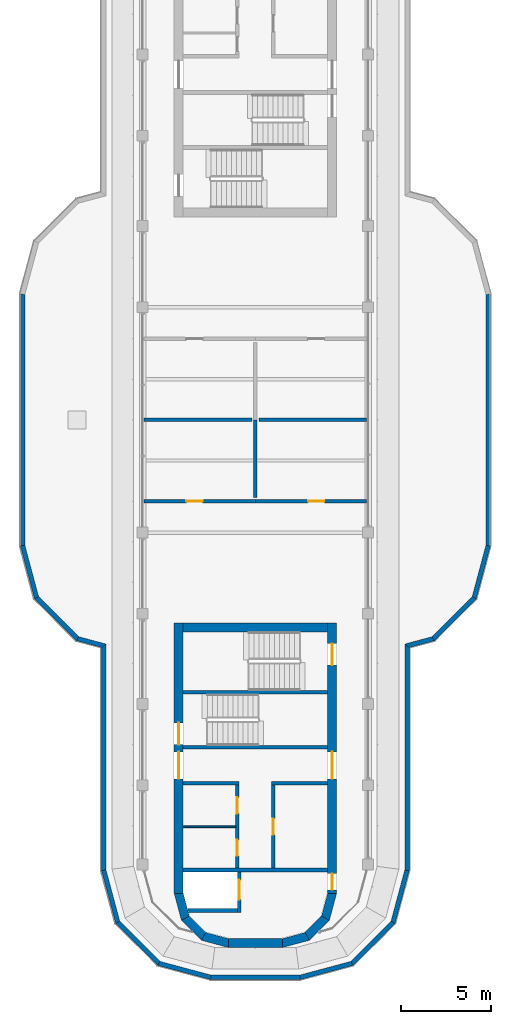
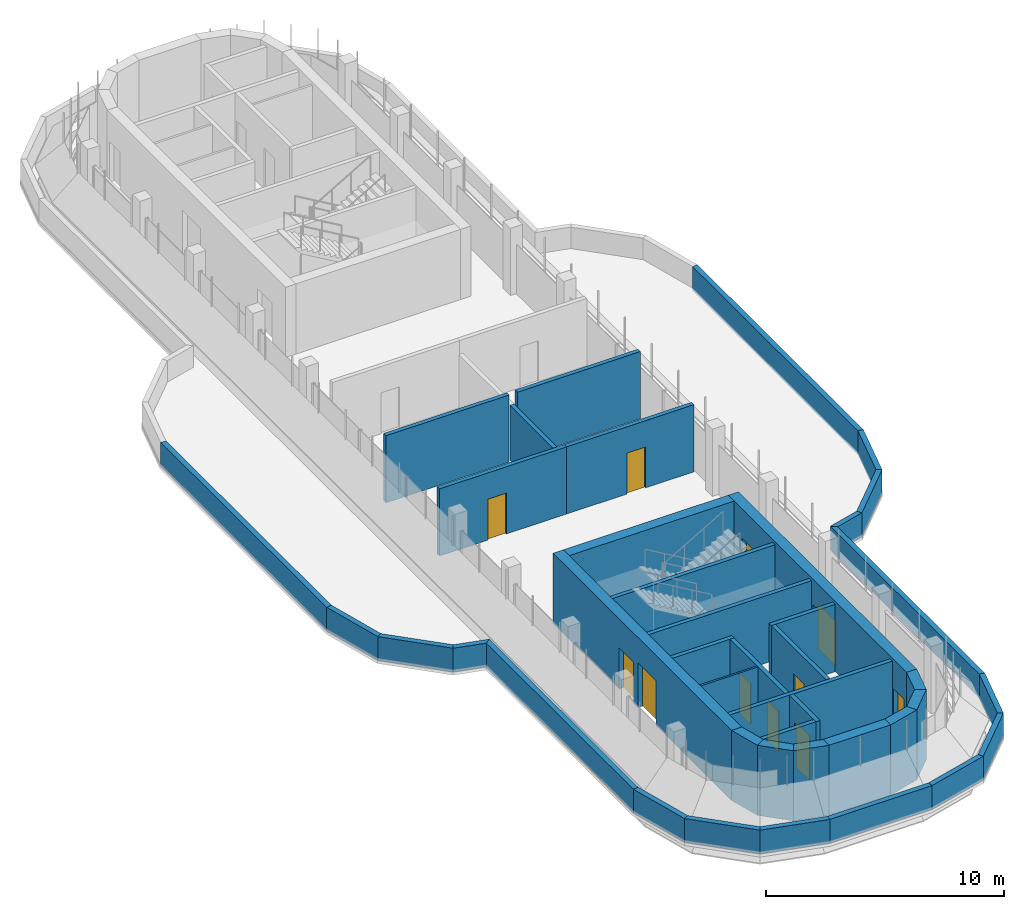
# One storey, part 8 of 12: 42 walls, 11 doors, 11 openings.
"""IFC4 building model written with IfcOpenShell, lengths in metres."""

from ifc_helpers import new_model, si_unit, direction, frame, frame_2d, origin, place, context, subcontext, project, spatial, polyline, rectangle, outline, extrude, material, layer, layer_set, type_object, element, fill, save


model = new_model("IFC4")

# Units and contexts
model_context = context("Model", 3, precision=1e-05, world=origin(), true_north=direction((0.0, 1.0)))
body_context = subcontext(model_context, "Body", "Model", "MODEL_VIEW")
ifc_project = project(units=[si_unit("LENGTHUNIT", "METRE"), si_unit("AREAUNIT", "SQUARE_METRE"), si_unit("VOLUMEUNIT", "CUBIC_METRE"), si_unit("PLANEANGLEUNIT", "RADIAN"), si_unit("MASSUNIT", "GRAM", prefix="KILO")], contexts=[model_context])

# Site, building, storey
site_placement = place(None, origin())
site = spatial("IfcSite", under=ifc_project, at=site_placement, CompositionType="ELEMENT")
building_placement = place(site_placement, origin())
building = spatial("IfcBuilding", under=site, at=building_placement, Name="Zarbagh Exchange Tower", CompositionType="ELEMENT")
storey_placement = place(building_placement, frame((0.0, 0.0, 306.0)))
storey = spatial("IfcBuildingStorey", under=building, at=storey_placement, Name="L75", CompositionType="ELEMENT", Elevation=306.0)

# Wall
ifc_material_1 = material(Name="Dense blockwork", Category="masonry")
ifc_layer_1 = layer(ifc_material_1, 0.10009765625)
ifc_layer_set_1 = layer_set([ifc_layer_1], Name="Core partition 100 mm blockwork")
wall_type_1 = type_object("IfcWallType", Name="Core partition 100 mm blockwork", PredefinedType="PARTITIONING", material=ifc_layer_set_1)
wall_1_placement = place(storey_placement, frame((-1.10009765625, -22.550048828125, 0.0), z_axis=(0.0, 0.0, 1.0), x_axis=(-1.0, 0.0, 0.0)))
element("IfcWall", 1, at=wall_1_placement, inside=storey, type_object=wall_type_1, Name="South core partition wall CUT-E-580", PredefinedType="PARTITIONING", context=body_context, shape_type="SweptSolid", body=[
    extrude(rectangle(XDim=2.89990234375, YDim=0.10009765625, at=frame_2d((1.449951171875, 0.0))), origin(), (0.0, 0.0, 1.0), 3.449951171875),
])

# Wall, opening, door
ifc_material_2 = material(Name="Concrete block partition", Category="concrete")
ifc_layer_2 = layer(ifc_material_2, 0.199951171875)
ifc_layer_set_2 = layer_set([ifc_layer_2], Name="Fire-rated block partition 200 EI 60")
wall_type_2 = type_object("IfcWallType", Name="Fire-rated block partition 200 EI 60", PredefinedType="PARTITIONING", material=ifc_layer_set_2)
wall_2_placement = place(storey_placement, frame((-6.169921875, -4.5, 0.0), z_axis=(0.0, 0.0, 1.0), x_axis=(1.0, 0.0, 0.0)))
wall_2 = element("IfcWall", 2, at=wall_2_placement, inside=storey, type_object=wall_type_2, Name="WL-L75-W003", PredefinedType="PARTITIONING", context=body_context, shape_type="SweptSolid", body=[
    extrude(rectangle(XDim=6.169921875, YDim=0.199951171875, at=frame_2d((3.0849609375, 0.0))), origin(), (0.0, 0.0, 1.0), 3.449951171875),
])
opening_1_placement = place(wall_2_placement, frame((2.344970703125, 0.0, 0.0)))
opening_1 = element("IfcOpeningElement", 3, at=opening_1_placement, cuts=wall_2, Name="Opening D03", PredefinedType="OPENING", context=body_context, shape_type="SweptSolid", body=[
    extrude(rectangle(XDim=0.89990234375, YDim=2.10009765625, at=frame_2d((0.449951171875, 1.050048828125))), frame((0.0, 0.10986328125, 0.0), z_axis=(0.0, -1.0, 0.0), x_axis=(1.0, 0.0, 0.0)), (0.0, 0.0, 1.0), 0.219970703125),
])
ifc_material_3 = material(Name="Steel door set", Category="steel")
door_type_1 = type_object("IfcDoorType", Name="Door single 900x2100 EI 60", OperationType="SINGLE_SWING_LEFT", PredefinedType="DOOR", material=ifc_material_3)
door_1_placement = place(opening_1_placement, origin())
door_1 = element("IfcDoor", 4, at=door_1_placement, inside=storey, type_object=door_type_1, Name="D03", OperationType="SINGLE_SWING_LEFT", OverallHeight=2.10009765625, OverallWidth=0.89990234375, PredefinedType="DOOR", context=body_context, shape_type="SweptSolid", body=[
    extrude(rectangle(XDim=0.89990234375, YDim=2.10009765625, at=frame_2d((0.449951171875, 1.050048828125))), frame((0.0, 0.02490234375, 0.0), z_axis=(0.0, -1.0, 0.0), x_axis=(1.0, 0.0, 0.0)), (0.0, 0.0, 1.0), 0.050048828125),
])
fill(opening_1, door_1)

wall_3_placement = place(storey_placement, frame((0.0, -4.5, 0.0), z_axis=(0.0, 0.0, 1.0), x_axis=(1.0, 0.0, 0.0)))
wall_3 = element("IfcWall", 5, at=wall_3_placement, inside=storey, type_object=wall_type_2, Name="WL-L75-W004", PredefinedType="PARTITIONING", context=body_context, shape_type="SweptSolid", body=[
    extrude(rectangle(XDim=6.169921875, YDim=0.199951171875, at=frame_2d((3.0849609375, 0.0))), origin(), (0.0, 0.0, 1.0), 3.449951171875),
])
opening_2_placement = place(wall_3_placement, frame((2.925048828125, 0.0, 0.0)))
opening_2 = element("IfcOpeningElement", 6, at=opening_2_placement, cuts=wall_3, Name="Opening D04", PredefinedType="OPENING", context=body_context, shape_type="SweptSolid", body=[
    extrude(rectangle(XDim=0.89990234375, YDim=2.10009765625, at=frame_2d((0.449951171875, 1.050048828125))), frame((0.0, 0.10986328125, 0.0), z_axis=(0.0, -1.0, 0.0), x_axis=(1.0, 0.0, 0.0)), (0.0, 0.0, 1.0), 0.219970703125),
])
door_2_placement = place(opening_2_placement, origin())
door_2 = element("IfcDoor", 7, at=door_2_placement, inside=storey, type_object=door_type_1, Name="D04", OperationType="SINGLE_SWING_LEFT", OverallHeight=2.10009765625, OverallWidth=0.89990234375, PredefinedType="DOOR", context=body_context, shape_type="SweptSolid", body=[
    extrude(rectangle(XDim=0.89990234375, YDim=2.10009765625, at=frame_2d((0.449951171875, 1.050048828125))), frame((0.0, 0.02490234375, 0.0), z_axis=(0.0, -1.0, 0.0), x_axis=(1.0, 0.0, 0.0)), (0.0, 0.0, 1.0), 0.050048828125),
])
fill(opening_2, door_2)

# Walls
for number, where, z_axis, x_axis, name in (
    (8, (-0.199951171875, 0.0, 0.0), (0.0, 0.0, 1.0), (-1.0, 0.0, 0.0), "WL-L75-W006"),
    (9, (6.169921875, 0.0, 0.0), (0.0, 0.0, 1.0), (-1.0, 0.0, 0.0), "WL-L75-W007"),
):
    element("IfcWall", number, at=place(storey_placement, frame(where, z_axis=z_axis, x_axis=x_axis)), inside=storey, type_object=wall_type_2, Name=name, PredefinedType="PARTITIONING", context=body_context, shape_type="SweptSolid", body=[
        extrude(rectangle(XDim=5.969970703125, YDim=0.199951171875, at=frame_2d((2.98486328125, 0.0))), origin(), (0.0, 0.0, 1.0), 3.449951171875),
    ])
wall_4_placement = place(storey_placement, frame((0.0, 0.0, 0.0), z_axis=(0.0, 0.0, 1.0), x_axis=(0.0, -1.0, 0.0)))
element("IfcWall", 10, at=wall_4_placement, inside=storey, type_object=wall_type_2, Name="WL-L75-W008", PredefinedType="PARTITIONING", context=body_context, shape_type="SweptSolid", body=[
    extrude(rectangle(XDim=4.300048828125, YDim=0.199951171875, at=frame_2d((2.14990234375, 0.0))), origin(), (0.0, 0.0, 1.0), 2.827880859375),
])
ifc_material_4 = material(Name="Concrete C40/50", Category="concrete")
ifc_layer_3 = layer(ifc_material_4, 0.25)
ifc_layer_set_3 = layer_set([ifc_layer_3], Name="Parapet wall, concrete C40/50")
wall_type_3 = type_object("IfcWallType", Name="Parapet wall, concrete C40/50", PredefinedType="PARAPET", material=ifc_layer_set_3)
wall_5_placement = place(storey_placement, origin())
element("IfcWall", 11, at=wall_5_placement, inside=storey, type_object=wall_type_3, Name="roof parapet", PredefinedType="PARAPET", context=body_context, shape_type="SweptSolid", body=[
    extrude(outline(polyline([(-2.484375, -31.030029296875), (-5.42138671875, -30.242919921875), (-5.2919921875, -30.018798828125), (-2.451416015625, -30.780029296875), (-2.484375, -31.030029296875)])), origin(), (0.0, 0.0, 1.0), 1.219970703125),
])
wall_6_placement = place(storey_placement, origin())
element("IfcWall", 12, at=wall_6_placement, inside=storey, type_object=wall_type_3, Name="roof parapet", PredefinedType="PARAPET", context=body_context, shape_type="SweptSolid", body=[
    extrude(outline(polyline([(-5.42138671875, -30.242919921875), (-7.742919921875, -27.92138671875), (-7.518798828125, -27.7919921875), (-5.2919921875, -30.018798828125), (-5.42138671875, -30.242919921875)])), origin(), (0.0, 0.0, 1.0), 1.219970703125),
])
wall_7_placement = place(storey_placement, origin())
element("IfcWall", 13, at=wall_7_placement, inside=storey, type_object=wall_type_3, Name="roof parapet", PredefinedType="PARAPET", context=body_context, shape_type="SweptSolid", body=[
    extrude(outline(polyline([(-7.742919921875, -27.92138671875), (-8.530029296875, -24.984375), (-8.280029296875, -24.951416015625), (-7.518798828125, -27.7919921875), (-7.742919921875, -27.92138671875)])), origin(), (0.0, 0.0, 1.0), 1.219970703125),
])
wall_8_placement = place(storey_placement, origin())
element("IfcWall", 14, at=wall_8_placement, inside=storey, type_object=wall_type_3, Name="roof parapet", PredefinedType="PARAPET", context=body_context, shape_type="SweptSolid", body=[
    extrude(outline(polyline([(-8.530029296875, -24.984375), (-8.530029296875, -12.61572265625), (-8.280029296875, -12.424072265625), (-8.280029296875, -24.951416015625), (-8.530029296875, -24.984375)])), origin(), (0.0, 0.0, 1.0), 1.219970703125),
])
wall_9_placement = place(storey_placement, origin())
element("IfcWall", 15, at=wall_9_placement, inside=storey, type_object=wall_type_3, Name="roof parapet", PredefinedType="PARAPET", context=body_context, shape_type="SweptSolid", body=[
    extrude(outline(polyline([(-8.530029296875, -12.61572265625), (-9.92138671875, -12.242919921875), (-9.7919921875, -12.018798828125), (-8.280029296875, -12.424072265625), (-8.530029296875, -12.61572265625)])), origin(), (0.0, 0.0, 1.0), 1.219970703125),
])
wall_10_placement = place(storey_placement, origin())
element("IfcWall", 16, at=wall_10_placement, inside=storey, type_object=wall_type_3, Name="roof parapet", PredefinedType="PARAPET", context=body_context, shape_type="SweptSolid", body=[
    extrude(outline(polyline([(-9.92138671875, -12.242919921875), (-12.242919921875, -9.92138671875), (-12.018798828125, -9.7919921875), (-9.7919921875, -12.018798828125), (-9.92138671875, -12.242919921875)])), origin(), (0.0, 0.0, 1.0), 1.219970703125),
])
wall_11_placement = place(storey_placement, origin())
element("IfcWall", 17, at=wall_11_placement, inside=storey, type_object=wall_type_3, Name="roof parapet", PredefinedType="PARAPET", context=body_context, shape_type="SweptSolid", body=[
    extrude(outline(polyline([(-12.242919921875, -9.92138671875), (-13.030029296875, -6.984375), (-12.780029296875, -6.951416015625), (-12.018798828125, -9.7919921875), (-12.242919921875, -9.92138671875)])), origin(), (0.0, 0.0, 1.0), 1.219970703125),
])
wall_12_placement = place(storey_placement, origin())
element("IfcWall", 18, at=wall_12_placement, inside=storey, type_object=wall_type_3, Name="roof parapet", PredefinedType="PARAPET", context=body_context, shape_type="SweptSolid", body=[
    extrude(outline(polyline([(-13.030029296875, -6.984375), (-13.030029296875, 6.984375), (-12.780029296875, 6.951416015625), (-12.780029296875, -6.951416015625), (-13.030029296875, -6.984375)])), origin(), (0.0, 0.0, 1.0), 1.219970703125),
])
wall_13_placement = place(storey_placement, origin())
element("IfcWall", 19, at=wall_13_placement, inside=storey, type_object=wall_type_3, Name="roof parapet", PredefinedType="PARAPET", context=body_context, shape_type="SweptSolid", body=[
    extrude(outline(polyline([(13.030029296875, 6.984375), (13.030029296875, -6.984375), (12.780029296875, -6.951416015625), (12.780029296875, 6.951416015625), (13.030029296875, 6.984375)])), origin(), (0.0, 0.0, 1.0), 1.219970703125),
])
wall_14_placement = place(storey_placement, origin())
element("IfcWall", 20, at=wall_14_placement, inside=storey, type_object=wall_type_3, Name="roof parapet", PredefinedType="PARAPET", context=body_context, shape_type="SweptSolid", body=[
    extrude(outline(polyline([(13.030029296875, -6.984375), (12.242919921875, -9.92138671875), (12.018798828125, -9.7919921875), (12.780029296875, -6.951416015625), (13.030029296875, -6.984375)])), origin(), (0.0, 0.0, 1.0), 1.219970703125),
])
wall_15_placement = place(storey_placement, origin())
element("IfcWall", 21, at=wall_15_placement, inside=storey, type_object=wall_type_3, Name="roof parapet", PredefinedType="PARAPET", context=body_context, shape_type="SweptSolid", body=[
    extrude(outline(polyline([(12.242919921875, -9.92138671875), (9.92138671875, -12.242919921875), (9.7919921875, -12.018798828125), (12.018798828125, -9.7919921875), (12.242919921875, -9.92138671875)])), origin(), (0.0, 0.0, 1.0), 1.219970703125),
])
wall_16_placement = place(storey_placement, origin())
element("IfcWall", 22, at=wall_16_placement, inside=storey, type_object=wall_type_3, Name="roof parapet", PredefinedType="PARAPET", context=body_context, shape_type="SweptSolid", body=[
    extrude(outline(polyline([(9.92138671875, -12.242919921875), (8.530029296875, -12.61572265625), (8.280029296875, -12.424072265625), (9.7919921875, -12.018798828125), (9.92138671875, -12.242919921875)])), origin(), (0.0, 0.0, 1.0), 1.219970703125),
])
wall_17_placement = place(storey_placement, origin())
element("IfcWall", 23, at=wall_17_placement, inside=storey, type_object=wall_type_3, Name="roof parapet", PredefinedType="PARAPET", context=body_context, shape_type="SweptSolid", body=[
    extrude(outline(polyline([(8.530029296875, -12.61572265625), (8.530029296875, -24.984375), (8.280029296875, -24.951416015625), (8.280029296875, -12.424072265625), (8.530029296875, -12.61572265625)])), origin(), (0.0, 0.0, 1.0), 1.219970703125),
])
wall_18_placement = place(storey_placement, origin())
element("IfcWall", 24, at=wall_18_placement, inside=storey, type_object=wall_type_3, Name="roof parapet", PredefinedType="PARAPET", context=body_context, shape_type="SweptSolid", body=[
    extrude(outline(polyline([(8.530029296875, -24.984375), (7.742919921875, -27.92138671875), (7.518798828125, -27.7919921875), (8.280029296875, -24.951416015625), (8.530029296875, -24.984375)])), origin(), (0.0, 0.0, 1.0), 1.219970703125),
])
wall_19_placement = place(storey_placement, origin())
element("IfcWall", 25, at=wall_19_placement, inside=storey, type_object=wall_type_3, Name="roof parapet", PredefinedType="PARAPET", context=body_context, shape_type="SweptSolid", body=[
    extrude(outline(polyline([(7.742919921875, -27.92138671875), (5.42138671875, -30.242919921875), (5.2919921875, -30.018798828125), (7.518798828125, -27.7919921875), (7.742919921875, -27.92138671875)])), origin(), (0.0, 0.0, 1.0), 1.219970703125),
])
wall_20_placement = place(storey_placement, origin())
element("IfcWall", 26, at=wall_20_placement, inside=storey, type_object=wall_type_3, Name="roof parapet", PredefinedType="PARAPET", context=body_context, shape_type="SweptSolid", body=[
    extrude(outline(polyline([(5.42138671875, -30.242919921875), (2.484375, -31.030029296875), (2.451416015625, -30.780029296875), (5.2919921875, -30.018798828125), (5.42138671875, -30.242919921875)])), origin(), (0.0, 0.0, 1.0), 1.219970703125),
])
wall_21_placement = place(storey_placement, origin())
element("IfcWall", 27, at=wall_21_placement, inside=storey, type_object=wall_type_3, Name="roof parapet", PredefinedType="PARAPET", context=body_context, shape_type="SweptSolid", body=[
    extrude(outline(polyline([(2.484375, -31.030029296875), (-2.484375, -31.030029296875), (-2.451416015625, -30.780029296875), (2.451416015625, -30.780029296875), (2.484375, -31.030029296875)])), origin(), (0.0, 0.0, 1.0), 1.219970703125),
])
ifc_layer_4 = layer(ifc_material_4, 0.5)
ifc_layer_set_4 = layer_set([ifc_layer_4], Name="RC core corner wall 500 C40/50")
wall_type_4 = type_object("IfcWallType", Name="RC core corner wall 500 C40/50", PredefinedType="SHEAR", material=ifc_layer_set_4)
wall_22_placement = place(storey_placement, origin())
element("IfcWall", 28, at=wall_22_placement, inside=storey, type_object=wall_type_4, Name="CW10 core S corner W", PredefinedType="SHEAR", context=body_context, shape_type="SweptSolid", body=[
    extrude(outline(polyline([(-4.5, -26.25), (-4.09814453125, -27.75), (-3.6650390625, -27.5), (-4.0, -26.25), (-4.5, -26.25)])), origin(), (0.0, 0.0, 1.0), 3.60009765625),
])
wall_23_placement = place(storey_placement, origin())
element("IfcWall", 29, at=wall_23_placement, inside=storey, type_object=wall_type_4, Name="CW10 core S corner W", PredefinedType="SHEAR", context=body_context, shape_type="SweptSolid", body=[
    extrude(outline(polyline([(-4.09814453125, -27.75), (-3.0, -28.84814453125), (-2.75, -28.4150390625), (-3.6650390625, -27.5), (-4.09814453125, -27.75)])), origin(), (0.0, 0.0, 1.0), 3.60009765625),
])
wall_24_placement = place(storey_placement, origin())
element("IfcWall", 30, at=wall_24_placement, inside=storey, type_object=wall_type_4, Name="CW10 core S corner W", PredefinedType="SHEAR", context=body_context, shape_type="SweptSolid", body=[
    extrude(outline(polyline([(-3.0, -28.84814453125), (-1.5, -29.25), (-1.5, -28.75), (-2.75, -28.4150390625), (-3.0, -28.84814453125)])), origin(), (0.0, 0.0, 1.0), 3.60009765625),
])
wall_25_placement = place(storey_placement, origin())
element("IfcWall", 31, at=wall_25_placement, inside=storey, type_object=wall_type_4, Name="CW10 core S corner E", PredefinedType="SHEAR", context=body_context, shape_type="SweptSolid", body=[
    extrude(outline(polyline([(4.5, -26.25), (4.09814453125, -27.75), (3.6650390625, -27.5), (4.0, -26.25), (4.5, -26.25)])), origin(), (0.0, 0.0, 1.0), 3.60009765625),
])
wall_26_placement = place(storey_placement, origin())
element("IfcWall", 32, at=wall_26_placement, inside=storey, type_object=wall_type_4, Name="CW10 core S corner E", PredefinedType="SHEAR", context=body_context, shape_type="SweptSolid", body=[
    extrude(outline(polyline([(4.09814453125, -27.75), (3.0, -28.84814453125), (2.75, -28.4150390625), (3.6650390625, -27.5), (4.09814453125, -27.75)])), origin(), (0.0, 0.0, 1.0), 3.60009765625),
])
wall_27_placement = place(storey_placement, origin())
element("IfcWall", 33, at=wall_27_placement, inside=storey, type_object=wall_type_4, Name="CW10 core S corner E", PredefinedType="SHEAR", context=body_context, shape_type="SweptSolid", body=[
    extrude(outline(polyline([(3.0, -28.84814453125), (1.5, -29.25), (1.5, -28.75), (2.75, -28.4150390625), (3.0, -28.84814453125)])), origin(), (0.0, 0.0, 1.0), 3.60009765625),
])

# Wall, openings, doors
ifc_layer_5 = layer(ifc_material_4, 0.5)
ifc_layer_set_5 = layer_set([ifc_layer_5], Name="RC core wall 500 C40/50")
wall_type_5 = type_object("IfcWallType", Name="RC core wall 500 C40/50", PredefinedType="SHEAR", material=ifc_layer_set_5)
wall_28_placement = place(storey_placement, frame((-4.25, -11.25, 0.0), z_axis=(0.0, 0.0, 1.0), x_axis=(0.0, -1.0, 0.0)))
wall_28 = element("IfcWall", 34, at=wall_28_placement, inside=storey, type_object=wall_type_5, Name="CW9 core S W", PredefinedType="SHEAR", context=body_context, shape_type="SweptSolid", body=[
    extrude(rectangle(XDim=15.0, YDim=0.5, at=frame_2d((7.5, 0.0))), origin(), (0.0, 0.0, 1.0), 3.60009765625),
])
opening_3_placement = place(wall_28_placement, frame((7.14990234375, 0.0, 0.0)))
opening_3 = element("IfcOpeningElement", 35, at=opening_3_placement, cuts=wall_28, Name="Opening CD1-1500", PredefinedType="OPENING", context=body_context, shape_type="SweptSolid", body=[
    extrude(rectangle(XDim=1.5, YDim=2.300048828125, at=frame_2d((0.75, 1.14990234375))), frame((0.0, 0.260009765625, 0.0), z_axis=(0.0, -1.0, 0.0), x_axis=(1.0, 0.0, 0.0)), (0.0, 0.0, 1.0), 0.52001953125),
])
opening_4_placement = place(wall_28_placement, frame((5.550048828125, 0.0, 0.0)))
opening_4 = element("IfcOpeningElement", 36, at=opening_4_placement, cuts=wall_28, Name="Opening SD1-1200", PredefinedType="OPENING", context=body_context, shape_type="SweptSolid", body=[
    extrude(rectangle(XDim=1.199951171875, YDim=2.10009765625, at=frame_2d((0.60009765625, 1.050048828125))), frame((0.0, 0.260009765625, 0.0), z_axis=(0.0, -1.0, 0.0), x_axis=(1.0, 0.0, 0.0)), (0.0, 0.0, 1.0), 0.52001953125),
])
ifc_material_5 = material(Name="Steel", Category="steel")
door_type_2 = type_object("IfcDoorType", Name="Exit stair door 1200 x 2100", OperationType="NOTDEFINED", PredefinedType="DOOR", material=ifc_material_5)
door_3_placement = place(opening_4_placement, origin())
door_3 = element("IfcDoor", 37, at=door_3_placement, inside=storey, type_object=door_type_2, Name="South core stair door ST1", OperationType="SINGLE_SWING_RIGHT", OverallHeight=2.10009765625, OverallWidth=1.199951171875, PredefinedType="DOOR", context=body_context, shape_type="SweptSolid", body=[
    extrude(rectangle(XDim=1.199951171875, YDim=2.10009765625, at=frame_2d((0.60009765625, 1.050048828125))), frame((0.0, 0.02490234375, 0.0), z_axis=(0.0, -1.0, 0.0), x_axis=(1.0, 0.0, 0.0)), (0.0, 0.0, 1.0), 0.050048828125),
])
fill(opening_4, door_3)
door_type_3 = type_object("IfcDoorType", Name="Lift lobby double door 1500 x 2300", OperationType="NOTDEFINED", PredefinedType="DOOR", material=ifc_material_5)
door_4_placement = place(opening_3_placement, origin())
door_4 = element("IfcDoor", 38, at=door_4_placement, inside=storey, type_object=door_type_3, Name="South core lift lobby door LOBBY-E", OperationType="DOUBLE_DOOR_SINGLE_SWING", OverallHeight=2.300048828125, OverallWidth=1.5, PredefinedType="DOOR", context=body_context, shape_type="SweptSolid", body=[
    extrude(rectangle(XDim=1.5, YDim=2.300048828125, at=frame_2d((0.75, 1.14990234375))), frame((0.0, 0.02490234375, 0.0), z_axis=(0.0, -1.0, 0.0), x_axis=(1.0, 0.0, 0.0)), (0.0, 0.0, 1.0), 0.050048828125),
])
fill(opening_3, door_4)

wall_29_placement = place(storey_placement, frame((4.25, -11.25, 0.0), z_axis=(0.0, 0.0, 1.0), x_axis=(0.0, -1.0, 0.0)))
wall_29 = element("IfcWall", 39, at=wall_29_placement, inside=storey, type_object=wall_type_5, Name="CW9 core S E", PredefinedType="SHEAR", context=body_context, shape_type="SweptSolid", body=[
    extrude(rectangle(XDim=15.0, YDim=0.5, at=frame_2d((7.5, 0.0))), origin(), (0.0, 0.0, 1.0), 3.60009765625),
])
opening_5_placement = place(wall_29_placement, frame((7.14990234375, 0.0, 0.0)))
opening_5 = element("IfcOpeningElement", 40, at=opening_5_placement, cuts=wall_29, Name="Opening CD1-1500", PredefinedType="OPENING", context=body_context, shape_type="SweptSolid", body=[
    extrude(rectangle(XDim=1.5, YDim=2.300048828125, at=frame_2d((0.75, 1.14990234375))), frame((0.0, 0.260009765625, 0.0), z_axis=(0.0, -1.0, 0.0), x_axis=(1.0, 0.0, 0.0)), (0.0, 0.0, 1.0), 0.52001953125),
])
opening_6_placement = place(wall_29_placement, frame((13.89990234375, 0.0, 0.0)))
opening_6 = element("IfcOpeningElement", 41, at=opening_6_placement, cuts=wall_29, Name="Opening CD2-900", PredefinedType="OPENING", context=body_context, shape_type="SweptSolid", body=[
    extrude(rectangle(XDim=0.89990234375, YDim=2.10009765625, at=frame_2d((0.449951171875, 1.050048828125))), frame((0.0, 0.260009765625, 0.0), z_axis=(0.0, -1.0, 0.0), x_axis=(1.0, 0.0, 0.0)), (0.0, 0.0, 1.0), 0.52001953125),
])
opening_7_placement = place(wall_29_placement, frame((1.14990234375, 0.0, 0.0)))
opening_7 = element("IfcOpeningElement", 42, at=opening_7_placement, cuts=wall_29, Name="Opening SD1-1200", PredefinedType="OPENING", context=body_context, shape_type="SweptSolid", body=[
    extrude(rectangle(XDim=1.199951171875, YDim=2.10009765625, at=frame_2d((0.60009765625, 1.050048828125))), frame((0.0, 0.260009765625, 0.0), z_axis=(0.0, -1.0, 0.0), x_axis=(1.0, 0.0, 0.0)), (0.0, 0.0, 1.0), 0.52001953125),
])
door_5_placement = place(opening_7_placement, origin())
door_5 = element("IfcDoor", 43, at=door_5_placement, inside=storey, type_object=door_type_2, Name="South core stair door ST2", OperationType="SINGLE_SWING_RIGHT", OverallHeight=2.10009765625, OverallWidth=1.199951171875, PredefinedType="DOOR", context=body_context, shape_type="SweptSolid", body=[
    extrude(rectangle(XDim=1.199951171875, YDim=2.10009765625, at=frame_2d((0.60009765625, 1.050048828125))), frame((0.0, 0.02490234375, 0.0), z_axis=(0.0, -1.0, 0.0), x_axis=(1.0, 0.0, 0.0)), (0.0, 0.0, 1.0), 0.050048828125),
])
fill(opening_7, door_5)
door_type_4 = type_object("IfcDoorType", Name="Firefighting lobby door 900 x 2100", OperationType="NOTDEFINED", PredefinedType="DOOR", material=ifc_material_5)
door_6_placement = place(opening_6_placement, origin())
door_6 = element("IfcDoor", 44, at=door_6_placement, inside=storey, type_object=door_type_4, Name="South core firefighting lobby door FF-W", OperationType="SINGLE_SWING_LEFT", OverallHeight=2.10009765625, OverallWidth=0.89990234375, PredefinedType="DOOR", context=body_context, shape_type="SweptSolid", body=[
    extrude(rectangle(XDim=0.89990234375, YDim=2.10009765625, at=frame_2d((0.449951171875, 1.050048828125))), frame((0.0, 0.02490234375, 0.0), z_axis=(0.0, -1.0, 0.0), x_axis=(1.0, 0.0, 0.0)), (0.0, 0.0, 1.0), 0.050048828125),
])
fill(opening_6, door_6)
door_7_placement = place(opening_5_placement, origin())
door_7 = element("IfcDoor", 45, at=door_7_placement, inside=storey, type_object=door_type_3, Name="South core lift lobby door LOBBY-W", OperationType="DOUBLE_DOOR_SINGLE_SWING", OverallHeight=2.300048828125, OverallWidth=1.5, PredefinedType="DOOR", context=body_context, shape_type="SweptSolid", body=[
    extrude(rectangle(XDim=1.5, YDim=2.300048828125, at=frame_2d((0.75, 1.14990234375))), frame((0.0, 0.02490234375, 0.0), z_axis=(0.0, -1.0, 0.0), x_axis=(1.0, 0.0, 0.0)), (0.0, 0.0, 1.0), 0.050048828125),
])
fill(opening_5, door_7)

# Walls
wall_30_placement = place(storey_placement, frame((-4.0, -11.5, 0.0), z_axis=(0.0, 0.0, 1.0), x_axis=(1.0, 0.0, 0.0)))
element("IfcWall", 46, at=wall_30_placement, inside=storey, type_object=wall_type_5, Name="CW9 core S inner end", PredefinedType="SHEAR", context=body_context, shape_type="SweptSolid", body=[
    extrude(rectangle(XDim=8.0, YDim=0.5, at=frame_2d((4.0, 0.0))), origin(), (0.0, 0.0, 1.0), 3.60009765625),
])
wall_31_placement = place(storey_placement, frame((-1.5, -29.0, 0.0), z_axis=(0.0, 0.0, 1.0), x_axis=(1.0, 0.0, 0.0)))
element("IfcWall", 47, at=wall_31_placement, inside=storey, type_object=wall_type_5, Name="CW9 core S outer end", PredefinedType="SHEAR", context=body_context, shape_type="SweptSolid", body=[
    extrude(rectangle(XDim=3.0, YDim=0.5, at=frame_2d((1.5, 0.0))), origin(), (0.0, 0.0, 1.0), 3.60009765625),
])
ifc_layer_6 = layer(ifc_material_1, 0.199951171875)
ifc_layer_set_6 = layer_set([ifc_layer_6], Name="Shaft wall 200 mm blockwork")
wall_type_6 = type_object("IfcWallType", Name="Shaft wall 200 mm blockwork", PredefinedType="PARTITIONING", material=ifc_layer_set_6)
wall_32_placement = place(storey_placement, frame((4.0, -20.14990234375, 0.0), z_axis=(0.0, 0.0, 1.0), x_axis=(-1.0, 0.0, 0.0)))
element("IfcWall", 48, at=wall_32_placement, inside=storey, type_object=wall_type_6, Name="South core shaft wall AB-W", PredefinedType="PARTITIONING", context=body_context, shape_type="SweptSolid", body=[
    extrude(rectangle(XDim=3.10009765625, YDim=0.199951171875, at=frame_2d((1.550048828125, 0.0))), origin(), (0.0, 0.0, 1.0), 3.449951171875),
])

# Wall, opening, door
wall_33_placement = place(storey_placement, frame((1.0, -24.85009765625, 0.0), z_axis=(0.0, 0.0, 1.0), x_axis=(0.0, 1.0, 0.0)))
wall_33 = element("IfcWall", 49, at=wall_33_placement, inside=storey, type_object=wall_type_6, Name="South core shaft wall LW-W", PredefinedType="PARTITIONING", context=body_context, shape_type="SweptSolid", body=[
    extrude(rectangle(XDim=4.60009765625, YDim=0.199951171875, at=frame_2d((2.300048828125, 0.0))), origin(), (0.0, 0.0, 1.0), 3.449951171875),
])
opening_8_placement = place(wall_33_placement, frame((1.85009765625, 0.0, 0.0)))
opening_8 = element("IfcOpeningElement", 50, at=opening_8_placement, cuts=wall_33, Name="Opening CD3-900", PredefinedType="OPENING", context=body_context, shape_type="SweptSolid", body=[
    extrude(rectangle(XDim=0.89990234375, YDim=2.10009765625, at=frame_2d((0.449951171875, 1.050048828125))), frame((0.0, 0.10986328125, 0.0), z_axis=(0.0, -1.0, 0.0), x_axis=(1.0, 0.0, 0.0)), (0.0, 0.0, 1.0), 0.219970703125),
])
door_type_5 = type_object("IfcDoorType", Name="Core room door 900 x 2100", OperationType="NOTDEFINED", PredefinedType="DOOR", material=ifc_material_5)
door_8_placement = place(opening_8_placement, origin())
door_8 = element("IfcDoor", 51, at=door_8_placement, inside=storey, type_object=door_type_5, Name="South core Plant room door RD-W-0", OperationType="SINGLE_SWING_LEFT", OverallHeight=2.10009765625, OverallWidth=0.89990234375, PredefinedType="DOOR", context=body_context, shape_type="SweptSolid", body=[
    extrude(rectangle(XDim=0.89990234375, YDim=2.10009765625, at=frame_2d((0.449951171875, 1.050048828125))), frame((0.0, 0.02490234375, 0.0), z_axis=(0.0, -1.0, 0.0), x_axis=(1.0, 0.0, 0.0)), (0.0, 0.0, 1.0), 0.050048828125),
])
fill(opening_8, door_8)

# Wall
wall_34_placement = place(storey_placement, frame((-0.89990234375, -20.14990234375, 0.0), z_axis=(0.0, 0.0, 1.0), x_axis=(-1.0, 0.0, 0.0)))
element("IfcWall", 52, at=wall_34_placement, inside=storey, type_object=wall_type_6, Name="South core shaft wall AB-E", PredefinedType="PARTITIONING", context=body_context, shape_type="SweptSolid", body=[
    extrude(rectangle(XDim=3.10009765625, YDim=0.199951171875, at=frame_2d((1.550048828125, 0.0))), origin(), (0.0, 0.0, 1.0), 3.449951171875),
])

# Wall, openings, doors
wall_35_placement = place(storey_placement, frame((-1.0, -24.85009765625, 0.0), z_axis=(0.0, 0.0, 1.0), x_axis=(0.0, 1.0, 0.0)))
wall_35 = element("IfcWall", 53, at=wall_35_placement, inside=storey, type_object=wall_type_6, Name="South core shaft wall LW-E", PredefinedType="PARTITIONING", context=body_context, shape_type="SweptSolid", body=[
    extrude(rectangle(XDim=4.60009765625, YDim=0.199951171875, at=frame_2d((2.300048828125, 0.0))), origin(), (0.0, 0.0, 1.0), 3.449951171875),
])
opening_9_placement = place(wall_35_placement, frame((0.675048828125, 0.0, 0.0)))
opening_9 = element("IfcOpeningElement", 54, at=opening_9_placement, cuts=wall_35, Name="Opening CD3-900", PredefinedType="OPENING", context=body_context, shape_type="SweptSolid", body=[
    extrude(rectangle(XDim=0.89990234375, YDim=2.10009765625, at=frame_2d((0.449951171875, 1.050048828125))), frame((0.0, 0.10986328125, 0.0), z_axis=(0.0, -1.0, 0.0), x_axis=(1.0, 0.0, 0.0)), (0.0, 0.0, 1.0), 0.219970703125),
])
opening_10_placement = place(wall_35_placement, frame((3.02490234375, 0.0, 0.0)))
opening_10 = element("IfcOpeningElement", 55, at=opening_10_placement, cuts=wall_35, Name="Opening CD3-900", PredefinedType="OPENING", context=body_context, shape_type="SweptSolid", body=[
    extrude(rectangle(XDim=0.89990234375, YDim=2.10009765625, at=frame_2d((0.449951171875, 1.050048828125))), frame((0.0, 0.10986328125, 0.0), z_axis=(0.0, -1.0, 0.0), x_axis=(1.0, 0.0, 0.0)), (0.0, 0.0, 1.0), 0.219970703125),
])
door_9_placement = place(opening_9_placement, origin())
door_9 = element("IfcDoor", 56, at=door_9_placement, inside=storey, type_object=door_type_5, Name="South core Plant room door RD-E-0", OperationType="SINGLE_SWING_RIGHT", OverallHeight=2.10009765625, OverallWidth=0.89990234375, PredefinedType="DOOR", context=body_context, shape_type="SweptSolid", body=[
    extrude(rectangle(XDim=0.89990234375, YDim=2.10009765625, at=frame_2d((0.449951171875, 1.050048828125))), frame((0.0, 0.02490234375, 0.0), z_axis=(0.0, -1.0, 0.0), x_axis=(1.0, 0.0, 0.0)), (0.0, 0.0, 1.0), 0.050048828125),
])
fill(opening_9, door_9)
door_10_placement = place(opening_10_placement, origin())
door_10 = element("IfcDoor", 57, at=door_10_placement, inside=storey, type_object=door_type_5, Name="South core Switch room door RD-E-1", OperationType="SINGLE_SWING_LEFT", OverallHeight=2.10009765625, OverallWidth=0.89990234375, PredefinedType="DOOR", context=body_context, shape_type="SweptSolid", body=[
    extrude(rectangle(XDim=0.89990234375, YDim=2.10009765625, at=frame_2d((0.449951171875, 1.050048828125))), frame((0.0, 0.02490234375, 0.0), z_axis=(0.0, -1.0, 0.0), x_axis=(1.0, 0.0, 0.0)), (0.0, 0.0, 1.0), 0.050048828125),
])
fill(opening_10, door_10)

# Wall
ifc_layer_7 = layer(ifc_material_4, 0.199951171875)
ifc_layer_set_7 = layer_set([ifc_layer_7], Name="Stair enclosure wall 200 mm RC C40/50")
wall_type_7 = type_object("IfcWallType", Name="Stair enclosure wall 200 mm RC C40/50", PredefinedType="SHEAR", material=ifc_layer_set_7)
wall_36_placement = place(storey_placement, frame((4.0, -24.949951171875, 0.0), z_axis=(0.0, 0.0, 1.0), x_axis=(-1.0, 0.0, 0.0)))
element("IfcWall", 58, at=wall_36_placement, inside=storey, type_object=wall_type_7, Name="South core lift shaft wall FFA", PredefinedType="SHEAR", context=body_context, shape_type="SweptSolid", body=[
    extrude(rectangle(XDim=8.0, YDim=0.199951171875, at=frame_2d((4.0, 0.0))), origin(), (0.0, 0.0, 1.0), 3.449951171875),
])

# Wall, opening, door
wall_37_placement = place(storey_placement, frame((-0.89990234375, -27.300048828125, 0.0), z_axis=(0.0, 0.0, 1.0), x_axis=(0.0, 1.0, 0.0)))
wall_37 = element("IfcWall", 59, at=wall_37_placement, inside=storey, type_object=wall_type_7, Name="South core lift shaft wall FFL", PredefinedType="SHEAR", context=body_context, shape_type="SweptSolid", body=[
    extrude(rectangle(XDim=2.25, YDim=0.199951171875, at=frame_2d((1.125, 0.0))), origin(), (0.0, 0.0, 1.0), 3.449951171875),
])
opening_11_placement = place(wall_37_placement, frame((0.699951171875, 0.0, 0.0)))
opening_11 = element("IfcOpeningElement", 60, at=opening_11_placement, cuts=wall_37, Name="Opening LD-1100", PredefinedType="OPENING", context=body_context, shape_type="SweptSolid", body=[
    extrude(rectangle(XDim=1.10009765625, YDim=2.300048828125, at=frame_2d((0.550048828125, 1.14990234375))), frame((0.0, 0.10986328125, 0.0), z_axis=(0.0, -1.0, 0.0), x_axis=(1.0, 0.0, 0.0)), (0.0, 0.0, 1.0), 0.219970703125),
])
ifc_material_6 = material(Name="Stainless steel", Category="steel")
door_type_6 = type_object("IfcDoorType", Name="Lift landing door 1100 x 2300", OperationType="NOTDEFINED", PredefinedType="DOOR", material=ifc_material_6)
door_11_placement = place(opening_11_placement, origin())
door_11 = element("IfcDoor", 61, at=door_11_placement, inside=storey, type_object=door_type_6, Name="South core lift landing door LD-F", OperationType="DOUBLE_DOOR_SLIDING", OverallHeight=2.300048828125, OverallWidth=1.10009765625, PredefinedType="DOOR", context=body_context, shape_type="SweptSolid", body=[
    extrude(rectangle(XDim=1.10009765625, YDim=2.300048828125, at=frame_2d((0.550048828125, 1.14990234375))), frame((0.0, 0.02490234375, 0.0), z_axis=(0.0, -1.0, 0.0), x_axis=(1.0, 0.0, 0.0)), (0.0, 0.0, 1.0), 0.050048828125),
])
fill(opening_11, door_11)

# Walls
wall_38_placement = place(storey_placement, origin())
element("IfcWall", 62, at=wall_38_placement, inside=storey, type_object=wall_type_7, Name="South core lift shaft wall FFX", PredefinedType="SHEAR", context=body_context, shape_type="SweptSolid", body=[
    extrude(outline(polyline([(-1.0, -27.10009765625), (-3.754638671875, -27.10009765625), (-3.700927734375, -27.300048828125), (-1.0, -27.300048828125), (-1.0, -27.10009765625)])), origin(), (0.0, 0.0, 1.0), 3.449951171875),
])
for number, where, z_axis, x_axis, name in (
    (63, (4.0, -18.14990234375, 0.0), (0.0, 0.0, 1.0), (-1.0, 0.0, 0.0), "South core stair wall BS"),
    (64, (4.0, -15.10009765625, 0.0), (0.0, 0.0, 1.0), (-1.0, 0.0, 0.0), "South core stair wall ST12"),
):
    element("IfcWall", number, at=place(storey_placement, frame(where, z_axis=z_axis, x_axis=x_axis)), inside=storey, type_object=wall_type_7, Name=name, PredefinedType="SHEAR", context=body_context, shape_type="SweptSolid", body=[
        extrude(rectangle(XDim=8.0, YDim=0.199951171875, at=frame_2d((4.0, 0.0))), origin(), (0.0, 0.0, 1.0), 3.449951171875),
    ])

save(model, "model.ifc")
